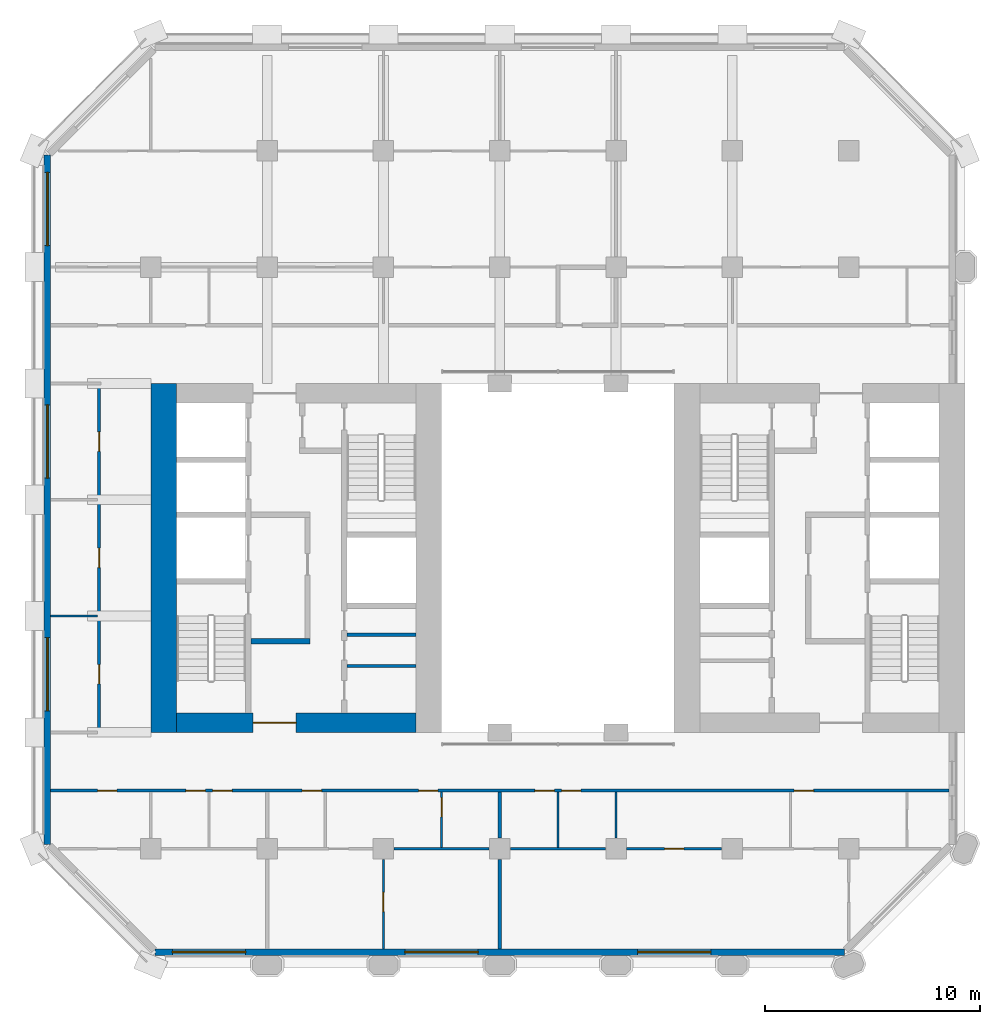
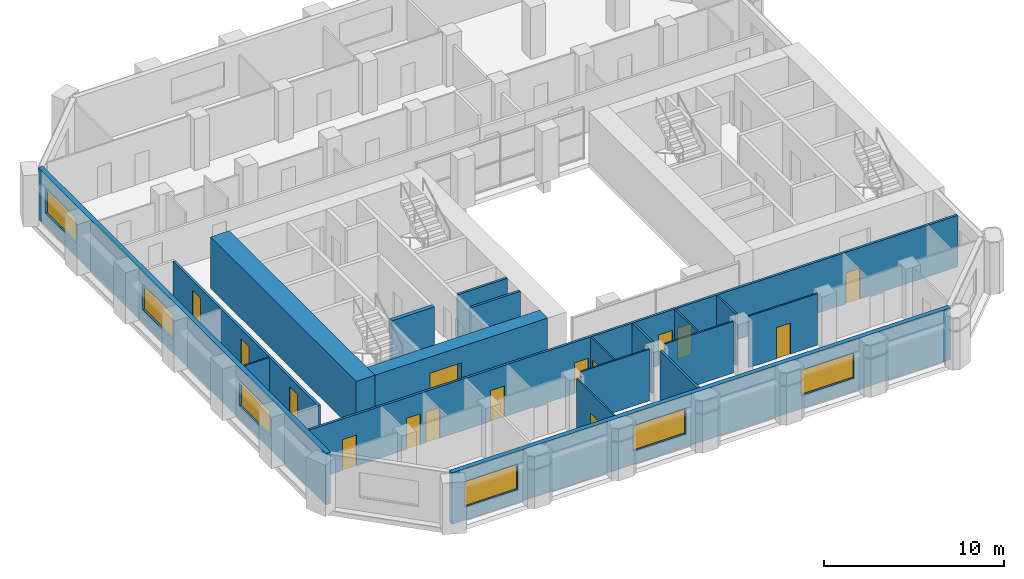
# One storey, part 6 of 13: 19 walls, 15 doors, 6 windows, 21 openings.
"""IFC4 building model written with IfcOpenShell, lengths in metres."""

from ifc_helpers import new_model, si_unit, direction, frame, frame_2d, origin, place, context, subcontext, project, spatial, rectangle, extrude, material, layer, layer_set, type_object, element, fill, save


model = new_model("IFC4")

# Units and contexts
model_context = context("Model", 3, precision=1e-05, world=origin(), true_north=direction((0.0, 1.0)))
body_context = subcontext(model_context, "Body", "Model", "MODEL_VIEW")
ifc_project = project(units=[si_unit("LENGTHUNIT", "METRE"), si_unit("AREAUNIT", "SQUARE_METRE"), si_unit("VOLUMEUNIT", "CUBIC_METRE"), si_unit("PLANEANGLEUNIT", "RADIAN"), si_unit("MASSUNIT", "GRAM", prefix="KILO")], contexts=[model_context])

# Site, building, storey
site_placement = place(None, origin())
site = spatial("IfcSite", under=ifc_project, at=site_placement, CompositionType="ELEMENT")
building_placement = place(site_placement, origin())
building = spatial("IfcBuilding", under=site, at=building_placement, Name="Tabaq Tower and Sports Hall", CompositionType="ELEMENT")
storey_placement = place(building_placement, frame((0.0, 0.0, 110.60009765625)))
storey = spatial("IfcBuildingStorey", under=building, at=storey_placement, Name="L26", CompositionType="ELEMENT", Elevation=110.60009765625)

# Walls
ifc_material_1 = material(Name="Blockwork", Category="masonry")
ifc_layer_1 = layer(ifc_material_1, 0.14990234375)
ifc_layer_set_1 = layer_set([ifc_layer_1], Name="Core room partition 150 Blockwork")
wall_type_1 = type_object("IfcWallType", Name="Core room partition 150 Blockwork", PredefinedType="PARTITIONING", material=ifc_layer_set_1)
for number, where, z_axis, x_axis, name in (
    (1, (14.5, 19.282958984375, 0.0), (0.0, 0.0, 1.0), (1.0, 0.0, 0.0), "Core room partition W L26"),
    (2, (14.5, 20.738037109375, 0.0), (0.0, 0.0, 1.0), (1.0, 0.0, 0.0), "Core room partition W L26"),
):
    element("IfcWall", number, at=place(storey_placement, frame(where, z_axis=z_axis, x_axis=x_axis)), inside=storey, type_object=wall_type_1, Name=name, PredefinedType="PARTITIONING", context=body_context, shape_type="SweptSolid", body=[
        extrude(rectangle(XDim=3.199951171875, YDim=0.14990234375, at=frame_2d((1.60009765625, 0.0))), origin(), (0.0, 0.0, 1.0), 3.5),
    ])
ifc_material_2 = material(Name="Concrete C60/75", Category="concrete")
ifc_layer_2 = layer(ifc_material_2, 1.199951171875)
ifc_layer_set_2 = layer_set([ifc_layer_2], Name="Core wall 1200 Concrete C60/75")
wall_type_2 = type_object("IfcWallType", Name="Core wall 1200 Concrete C60/75", PredefinedType="SOLIDWALL", material=ifc_layer_set_2)
wall_1_placement = place(storey_placement, frame((6.0, 16.199951171875, 0.0), z_axis=(0.0, 0.0, 1.0), x_axis=(0.0, 1.0, 0.0)))
element("IfcWall", 3, at=wall_1_placement, inside=storey, type_object=wall_type_2, Name="Core wall W L26", PredefinedType="SOLIDWALL", context=body_context, shape_type="SweptSolid", body=[
    extrude(rectangle(XDim=16.199951171875, YDim=1.199951171875, at=frame_2d((8.10009765625, 0.0))), origin(), (0.0, 0.0, 1.0), 3.5),
])

# Wall, opening, door
ifc_material_3 = material(Name="Concrete C60/75", Category="concrete")
ifc_layer_3 = layer(ifc_material_3, 0.89990234375)
ifc_layer_set_3 = layer_set([ifc_layer_3], Name="Core wall 900 Concrete C60/75")
wall_type_3 = type_object("IfcWallType", Name="Core wall 900 Concrete C60/75", PredefinedType="SOLIDWALL", material=ifc_layer_set_3)
wall_2_placement = place(storey_placement, frame((17.699951171875, 16.64990234375, 0.0), z_axis=(0.0, 0.0, 1.0), x_axis=(-1.0, 0.0, 0.0)))
wall_2 = element("IfcWall", 4, at=wall_2_placement, inside=storey, type_object=wall_type_3, Name="Core wall W L26", PredefinedType="SOLIDWALL", context=body_context, shape_type="SweptSolid", body=[
    extrude(rectangle(XDim=11.099853515625, YDim=0.89990234375, at=frame_2d((5.5498046875, 0.0))), origin(), (0.0, 0.0, 1.0), 3.5),
])
opening_1_placement = place(wall_2_placement, frame((5.550048828125, 0.0, 0.0)))
opening_1 = element("IfcOpeningElement", 5, at=opening_1_placement, cuts=wall_2, Name="Opening PD-WL26-01", PredefinedType="OPENING", context=body_context, shape_type="SweptSolid", body=[
    extrude(rectangle(XDim=2.0, YDim=2.39990234375, at=frame_2d((1.0, 1.199951171875))), frame((0.0, 0.449951171875, 0.0), z_axis=(0.0, -1.0, 0.0), x_axis=(1.0, 0.0, 0.0)), (0.0, 0.0, 1.0), 0.89990234375),
])
ifc_material_4 = material(Name="Steel fire door", Category="steel")
door_type_1 = type_object("IfcDoorType", Name="Core entrance door 2000", OperationType="DOUBLE_DOOR_SINGLE_SWING", PredefinedType="DOOR", material=ifc_material_4)
door_1_placement = place(opening_1_placement, origin())
door_1 = element("IfcDoor", 6, at=door_1_placement, inside=storey, type_object=door_type_1, Name="Core entrance south W L26", OperationType="DOUBLE_DOOR_SINGLE_SWING", OverallHeight=2.39990234375, OverallWidth=2.0, PredefinedType="DOOR", context=body_context, shape_type="SweptSolid", body=[
    extrude(rectangle(XDim=2.0, YDim=2.39990234375, at=frame_2d((1.0, 1.199951171875))), frame((0.0, 0.02490234375, 0.0), z_axis=(0.0, -1.0, 0.0), x_axis=(1.0, 0.0, 0.0)), (0.0, 0.0, 1.0), 0.050048828125),
])
fill(opening_1, door_1)

ifc_material_5 = material(Name="Gypsum board on steel studs", Category="steel")
ifc_layer_4 = layer(ifc_material_5, 0.10009765625)
ifc_layer_set_4 = layer_set([ifc_layer_4], Name="Partition 100 Gypsum board")
wall_type_4 = type_object("IfcWallType", Name="Partition 100 Gypsum board", PredefinedType="PARTITIONING", material=ifc_layer_set_4)
wall_3_placement = place(storey_placement, frame((18.89990234375, 10.85009765625, 0.0), z_axis=(0.0, 0.0, 1.0), x_axis=(0.0, 1.0, 0.0)))
wall_3 = element("IfcWall", 7, at=wall_3_placement, inside=storey, type_object=wall_type_4, Name="Partition wall L26", PredefinedType="PARTITIONING", context=body_context, shape_type="SweptSolid", body=[
    extrude(rectangle(XDim=2.574951171875, YDim=0.10009765625, at=frame_2d((1.28759765625, 0.0))), origin(), (0.0, 0.0, 1.0), 3.5),
])
opening_2_placement = place(wall_3_placement, frame((1.425048828125, 0.0, 0.0)))
opening_2 = element("IfcOpeningElement", 8, at=opening_2_placement, cuts=wall_3, Name="Opening L26-020", PredefinedType="OPENING", context=body_context, shape_type="SweptSolid", body=[
    extrude(rectangle(XDim=0.89990234375, YDim=2.10009765625, at=frame_2d((0.449951171875, 1.050048828125))), frame((0.0, 0.050048828125, 0.0), z_axis=(0.0, -1.0, 0.0), x_axis=(1.0, 0.0, 0.0)), (0.0, 0.0, 1.0), 0.10009765625),
])
ifc_material_6 = material(Name="Timber leaf in steel frame", Category="steel")
door_type_2 = type_object("IfcDoorType", Name="Internal door 900 right hand", OperationType="SINGLE_SWING_RIGHT", PredefinedType="DOOR", material=ifc_material_6)
door_2_placement = place(opening_2_placement, origin())
door_2 = element("IfcDoor", 9, at=door_2_placement, inside=storey, type_object=door_type_2, Name="Internal door L26-020", OperationType="SINGLE_SWING_RIGHT", OverallHeight=2.10009765625, OverallWidth=0.89990234375, PredefinedType="DOOR", context=body_context, shape_type="SweptSolid", body=[
    extrude(rectangle(XDim=0.89990234375, YDim=2.10009765625, at=frame_2d((0.449951171875, 1.050048828125))), frame((0.0, 0.02490234375, 0.0), z_axis=(0.0, -1.0, 0.0), x_axis=(1.0, 0.0, 0.0)), (0.0, 0.0, 1.0), 0.050048828125),
])
fill(opening_2, door_2)

# Wall
wall_4_placement = place(storey_placement, frame((16.695068359375, 10.800048828125, 0.0), z_axis=(0.0, 0.0, 1.0), x_axis=(1.0, 0.0, 0.0)))
element("IfcWall", 10, at=wall_4_placement, inside=storey, type_object=wall_type_4, Name="Partition wall L26", PredefinedType="PARTITIONING", context=body_context, shape_type="SweptSolid", body=[
    extrude(rectangle(XDim=4.409912109375, YDim=0.10009765625, at=frame_2d((2.205078125, 0.0))), origin(), (0.0, 0.0, 1.0), 3.5),
])

# Wall, opening, door
wall_5_placement = place(storey_placement, frame((16.199951171875, 6.15087890625, 0.0), z_axis=(0.0, 0.0, 1.0), x_axis=(0.0, 1.0, 0.0)))
wall_5 = element("IfcWall", 11, at=wall_5_placement, inside=storey, type_object=wall_type_4, Name="Partition wall L26", PredefinedType="PARTITIONING", context=body_context, shape_type="SweptSolid", body=[
    extrude(rectangle(XDim=4.154052734375, YDim=0.10009765625, at=frame_2d((2.0771484375, 0.0))), origin(), (0.0, 0.0, 1.0), 3.5),
])
opening_3_placement = place(wall_5_placement, frame((1.72412109375, 0.0, 0.0)))
opening_3 = element("IfcOpeningElement", 12, at=opening_3_placement, cuts=wall_5, Name="Opening L26-021", PredefinedType="OPENING", context=body_context, shape_type="SweptSolid", body=[
    extrude(rectangle(XDim=0.89990234375, YDim=2.10009765625, at=frame_2d((0.449951171875, 1.050048828125))), frame((0.0, 0.050048828125, 0.0), z_axis=(0.0, -1.0, 0.0), x_axis=(1.0, 0.0, 0.0)), (0.0, 0.0, 1.0), 0.10009765625),
])
door_3_placement = place(opening_3_placement, origin())
door_3 = element("IfcDoor", 13, at=door_3_placement, inside=storey, type_object=door_type_2, Name="Internal door L26-021", OperationType="SINGLE_SWING_RIGHT", OverallHeight=2.10009765625, OverallWidth=0.89990234375, PredefinedType="DOOR", context=body_context, shape_type="SweptSolid", body=[
    extrude(rectangle(XDim=0.89990234375, YDim=2.10009765625, at=frame_2d((0.449951171875, 1.050048828125))), frame((0.0, 0.02490234375, 0.0), z_axis=(0.0, -1.0, 0.0), x_axis=(1.0, 0.0, 0.0)), (0.0, 0.0, 1.0), 0.050048828125),
])
fill(opening_3, door_3)

# Walls
wall_6_placement = place(storey_placement, frame((24.300048828125, 10.85009765625, 0.0), z_axis=(0.0, 0.0, 1.0), x_axis=(0.0, 1.0, 0.0)))
element("IfcWall", 14, at=wall_6_placement, inside=storey, type_object=wall_type_4, Name="Partition wall L26", PredefinedType="PARTITIONING", context=body_context, shape_type="SweptSolid", body=[
    extrude(rectangle(XDim=2.574951171875, YDim=0.10009765625, at=frame_2d((1.28759765625, 0.0))), origin(), (0.0, 0.0, 1.0), 3.5),
])
wall_7_placement = place(storey_placement, frame((22.094970703125, 10.800048828125, 0.0), z_axis=(0.0, 0.0, 1.0), x_axis=(1.0, 0.0, 0.0)))
element("IfcWall", 15, at=wall_7_placement, inside=storey, type_object=wall_type_4, Name="Partition wall L26", PredefinedType="PARTITIONING", context=body_context, shape_type="SweptSolid", body=[
    extrude(rectangle(XDim=4.409912109375, YDim=0.10009765625, at=frame_2d((2.205078125, 0.0))), origin(), (0.0, 0.0, 1.0), 3.5),
])
wall_8_placement = place(storey_placement, frame((27.0, 11.294921875, 0.0), z_axis=(0.0, 0.0, 1.0), x_axis=(0.0, 1.0, 0.0)))
element("IfcWall", 16, at=wall_8_placement, inside=storey, type_object=wall_type_4, Name="Partition wall L26", PredefinedType="PARTITIONING", context=body_context, shape_type="SweptSolid", body=[
    extrude(rectangle(XDim=2.130126953125, YDim=0.10009765625, at=frame_2d((1.06494140625, 0.0))), origin(), (0.0, 0.0, 1.0), 3.5),
])

# Wall, opening, door
wall_9_placement = place(storey_placement, frame((27.4951171875, 10.800048828125, 0.0), z_axis=(0.0, 0.0, 1.0), x_axis=(1.0, 0.0, 0.0)))
wall_9 = element("IfcWall", 17, at=wall_9_placement, inside=storey, type_object=wall_type_4, Name="Partition wall L26", PredefinedType="PARTITIONING", context=body_context, shape_type="SweptSolid", body=[
    extrude(rectangle(XDim=4.409912109375, YDim=0.10009765625, at=frame_2d((2.205078125, 0.0))), origin(), (0.0, 0.0, 1.0), 3.5),
])
opening_4_placement = place(wall_9_placement, frame((1.7548828125, 0.0, 0.0)))
opening_4 = element("IfcOpeningElement", 18, at=opening_4_placement, cuts=wall_9, Name="Opening L26-022", PredefinedType="OPENING", context=body_context, shape_type="SweptSolid", body=[
    extrude(rectangle(XDim=0.89990234375, YDim=2.10009765625, at=frame_2d((0.449951171875, 1.050048828125))), frame((0.0, 0.050048828125, 0.0), z_axis=(0.0, -1.0, 0.0), x_axis=(1.0, 0.0, 0.0)), (0.0, 0.0, 1.0), 0.10009765625),
])
door_4_placement = place(opening_4_placement, origin())
door_4 = element("IfcDoor", 19, at=door_4_placement, inside=storey, type_object=door_type_2, Name="Internal door L26-022", OperationType="SINGLE_SWING_RIGHT", OverallHeight=2.10009765625, OverallWidth=0.89990234375, PredefinedType="DOOR", context=body_context, shape_type="SweptSolid", body=[
    extrude(rectangle(XDim=0.89990234375, YDim=2.10009765625, at=frame_2d((0.449951171875, 1.050048828125))), frame((0.0, 0.02490234375, 0.0), z_axis=(0.0, -1.0, 0.0), x_axis=(1.0, 0.0, 0.0)), (0.0, 0.0, 1.0), 0.050048828125),
])
fill(opening_4, door_4)

# Wall
wall_10_placement = place(storey_placement, frame((2.925048828125, 21.60009765625, 0.0), z_axis=(0.0, 0.0, 1.0), x_axis=(-1.0, 0.0, 0.0)))
element("IfcWall", 20, at=wall_10_placement, inside=storey, type_object=wall_type_4, Name="Partition wall L26", PredefinedType="PARTITIONING", context=body_context, shape_type="SweptSolid", body=[
    extrude(rectangle(XDim=2.174072265625, YDim=0.10009765625, at=frame_2d((1.0869140625, 0.0))), origin(), (0.0, 0.0, 1.0), 2.75),
])

# Wall, openings, doors
ifc_material_7 = material(Name="Blockwork", Category="masonry")
ifc_layer_5 = layer(ifc_material_7, 0.14990234375)
ifc_layer_set_5 = layer_set([ifc_layer_5], Name="Separating wall 150 Blockwork")
wall_type_5 = type_object("IfcWallType", Name="Separating wall 150 Blockwork", PredefinedType="PARTITIONING", material=ifc_layer_set_5)
wall_11_placement = place(storey_placement, frame((3.0, 32.324951171875, 0.0), z_axis=(0.0, 0.0, 1.0), x_axis=(0.0, -1.0, 0.0)))
wall_11 = element("IfcWall", 21, at=wall_11_placement, inside=storey, type_object=wall_type_5, Name="Separating wall L26", PredefinedType="PARTITIONING", context=body_context, shape_type="SweptSolid", body=[
    extrude(rectangle(XDim=16.199951171875, YDim=0.14990234375, at=frame_2d((8.10009765625, 0.0))), origin(), (0.0, 0.0, 1.0), 2.75),
])
opening_5_placement = place(wall_11_placement, frame((12.97509765625, 0.0, 0.0)))
opening_5 = element("IfcOpeningElement", 22, at=opening_5_placement, cuts=wall_11, Name="Opening L26-009", PredefinedType="OPENING", context=body_context, shape_type="SweptSolid", body=[
    extrude(rectangle(XDim=0.89990234375, YDim=2.10009765625, at=frame_2d((0.449951171875, 1.050048828125))), frame((0.0, 0.074951171875, 0.0), z_axis=(0.0, -1.0, 0.0), x_axis=(1.0, 0.0, 0.0)), (0.0, 0.0, 1.0), 0.14990234375),
])
opening_6_placement = place(wall_11_placement, frame((7.574951171875, 0.0, 0.0)))
opening_6 = element("IfcOpeningElement", 23, at=opening_6_placement, cuts=wall_11, Name="Opening L26-010", PredefinedType="OPENING", context=body_context, shape_type="SweptSolid", body=[
    extrude(rectangle(XDim=0.89990234375, YDim=2.10009765625, at=frame_2d((0.449951171875, 1.050048828125))), frame((0.0, 0.074951171875, 0.0), z_axis=(0.0, -1.0, 0.0), x_axis=(1.0, 0.0, 0.0)), (0.0, 0.0, 1.0), 0.14990234375),
])
opening_7_placement = place(wall_11_placement, frame((2.175048828125, 0.0, 0.0)))
opening_7 = element("IfcOpeningElement", 24, at=opening_7_placement, cuts=wall_11, Name="Opening L26-011", PredefinedType="OPENING", context=body_context, shape_type="SweptSolid", body=[
    extrude(rectangle(XDim=0.89990234375, YDim=2.10009765625, at=frame_2d((0.449951171875, 1.050048828125))), frame((0.0, 0.074951171875, 0.0), z_axis=(0.0, -1.0, 0.0), x_axis=(1.0, 0.0, 0.0)), (0.0, 0.0, 1.0), 0.14990234375),
])
door_5_placement = place(opening_5_placement, origin())
door_5 = element("IfcDoor", 25, at=door_5_placement, inside=storey, type_object=door_type_2, Name="Internal door L26-009", OperationType="SINGLE_SWING_RIGHT", OverallHeight=2.10009765625, OverallWidth=0.89990234375, PredefinedType="DOOR", context=body_context, shape_type="SweptSolid", body=[
    extrude(rectangle(XDim=0.89990234375, YDim=2.10009765625, at=frame_2d((0.449951171875, 1.050048828125))), frame((0.0, 0.02490234375, 0.0), z_axis=(0.0, -1.0, 0.0), x_axis=(1.0, 0.0, 0.0)), (0.0, 0.0, 1.0), 0.050048828125),
])
fill(opening_5, door_5)
door_6_placement = place(opening_6_placement, origin())
door_6 = element("IfcDoor", 26, at=door_6_placement, inside=storey, type_object=door_type_2, Name="Internal door L26-010", OperationType="SINGLE_SWING_RIGHT", OverallHeight=2.10009765625, OverallWidth=0.89990234375, PredefinedType="DOOR", context=body_context, shape_type="SweptSolid", body=[
    extrude(rectangle(XDim=0.89990234375, YDim=2.10009765625, at=frame_2d((0.449951171875, 1.050048828125))), frame((0.0, 0.02490234375, 0.0), z_axis=(0.0, -1.0, 0.0), x_axis=(1.0, 0.0, 0.0)), (0.0, 0.0, 1.0), 0.050048828125),
])
fill(opening_6, door_6)
door_7_placement = place(opening_7_placement, origin())
door_7 = element("IfcDoor", 27, at=door_7_placement, inside=storey, type_object=door_type_2, Name="Internal door L26-011", OperationType="SINGLE_SWING_RIGHT", OverallHeight=2.10009765625, OverallWidth=0.89990234375, PredefinedType="DOOR", context=body_context, shape_type="SweptSolid", body=[
    extrude(rectangle(XDim=0.89990234375, YDim=2.10009765625, at=frame_2d((0.449951171875, 1.050048828125))), frame((0.0, 0.02490234375, 0.0), z_axis=(0.0, -1.0, 0.0), x_axis=(1.0, 0.0, 0.0)), (0.0, 0.0, 1.0), 0.050048828125),
])
fill(opening_7, door_7)

wall_12_placement = place(storey_placement, frame((0.7509765625, 13.5, 0.0), z_axis=(0.0, 0.0, 1.0), x_axis=(1.0, 0.0, 0.0)))
wall_12 = element("IfcWall", 28, at=wall_12_placement, inside=storey, type_object=wall_type_5, Name="Separating wall L26", PredefinedType="PARTITIONING", context=body_context, shape_type="SweptSolid", body=[
    extrude(rectangle(XDim=41.697998046875, YDim=0.14990234375, at=frame_2d((20.84912109375, 0.0))), origin(), (0.0, 0.0, 1.0), 3.5),
])
opening_8_placement = place(wall_12_placement, frame((6.279052734375, 0.0, 0.0)))
opening_8 = element("IfcOpeningElement", 29, at=opening_8_placement, cuts=wall_12, Name="Opening L26-004", PredefinedType="OPENING", context=body_context, shape_type="SweptSolid", body=[
    extrude(rectangle(XDim=0.89990234375, YDim=2.10009765625, at=frame_2d((0.449951171875, 1.050048828125))), frame((0.0, 0.074951171875, 0.0), z_axis=(0.0, -1.0, 0.0), x_axis=(1.0, 0.0, 0.0)), (0.0, 0.0, 1.0), 0.14990234375),
])
opening_9_placement = place(wall_12_placement, frame((7.51904296875, 0.0, 0.0)))
opening_9 = element("IfcOpeningElement", 30, at=opening_9_placement, cuts=wall_12, Name="Opening L26-005", PredefinedType="OPENING", context=body_context, shape_type="SweptSolid", body=[
    extrude(rectangle(XDim=0.89990234375, YDim=2.10009765625, at=frame_2d((0.449951171875, 1.050048828125))), frame((0.0, 0.074951171875, 0.0), z_axis=(0.0, -1.0, 0.0), x_axis=(1.0, 0.0, 0.0)), (0.0, 0.0, 1.0), 0.14990234375),
])
opening_10_placement = place(wall_12_placement, frame((11.678955078125, 0.0, 0.0)))
opening_10 = element("IfcOpeningElement", 31, at=opening_10_placement, cuts=wall_12, Name="Opening L26-006", PredefinedType="OPENING", context=body_context, shape_type="SweptSolid", body=[
    extrude(rectangle(XDim=0.89990234375, YDim=2.10009765625, at=frame_2d((0.449951171875, 1.050048828125))), frame((0.0, 0.074951171875, 0.0), z_axis=(0.0, -1.0, 0.0), x_axis=(1.0, 0.0, 0.0)), (0.0, 0.0, 1.0), 0.14990234375),
])
opening_11_placement = place(wall_12_placement, frame((22.47900390625, 0.0, 0.0)))
opening_11 = element("IfcOpeningElement", 32, at=opening_11_placement, cuts=wall_12, Name="Opening L26-007", PredefinedType="OPENING", context=body_context, shape_type="SweptSolid", body=[
    extrude(rectangle(XDim=0.89990234375, YDim=2.10009765625, at=frame_2d((0.449951171875, 1.050048828125))), frame((0.0, 0.074951171875, 0.0), z_axis=(0.0, -1.0, 0.0), x_axis=(1.0, 0.0, 0.0)), (0.0, 0.0, 1.0), 0.14990234375),
])
opening_12_placement = place(wall_12_placement, frame((23.718994140625, 0.0, 0.0)))
opening_12 = element("IfcOpeningElement", 33, at=opening_12_placement, cuts=wall_12, Name="Opening L26-008", PredefinedType="OPENING", context=body_context, shape_type="SweptSolid", body=[
    extrude(rectangle(XDim=0.89990234375, YDim=2.10009765625, at=frame_2d((0.449951171875, 1.050048828125))), frame((0.0, 0.074951171875, 0.0), z_axis=(0.0, -1.0, 0.0), x_axis=(1.0, 0.0, 0.0)), (0.0, 0.0, 1.0), 0.14990234375),
])
opening_13_placement = place(wall_12_placement, frame((2.174072265625, 0.0, 0.0)))
opening_13 = element("IfcOpeningElement", 34, at=opening_13_placement, cuts=wall_12, Name="Opening L26-027", PredefinedType="OPENING", context=body_context, shape_type="SweptSolid", body=[
    extrude(rectangle(XDim=0.89990234375, YDim=2.10009765625, at=frame_2d((0.449951171875, 1.050048828125))), frame((0.0, 0.074951171875, 0.0), z_axis=(0.0, -1.0, 0.0), x_axis=(1.0, 0.0, 0.0)), (0.0, 0.0, 1.0), 0.14990234375),
])
opening_14_placement = place(wall_12_placement, frame((17.0791015625, 0.0, 0.0)))
opening_14 = element("IfcOpeningElement", 35, at=opening_14_placement, cuts=wall_12, Name="Opening L26-031", PredefinedType="OPENING", context=body_context, shape_type="SweptSolid", body=[
    extrude(rectangle(XDim=0.89990234375, YDim=2.10009765625, at=frame_2d((0.449951171875, 1.050048828125))), frame((0.0, 0.074951171875, 0.0), z_axis=(0.0, -1.0, 0.0), x_axis=(1.0, 0.0, 0.0)), (0.0, 0.0, 1.0), 0.14990234375),
])
opening_15_placement = place(wall_12_placement, frame((34.51904296875, 0.0, 0.0)))
opening_15 = element("IfcOpeningElement", 36, at=opening_15_placement, cuts=wall_12, Name="Opening L26-032", PredefinedType="OPENING", context=body_context, shape_type="SweptSolid", body=[
    extrude(rectangle(XDim=0.89990234375, YDim=2.10009765625, at=frame_2d((0.449951171875, 1.050048828125))), frame((0.0, 0.074951171875, 0.0), z_axis=(0.0, -1.0, 0.0), x_axis=(1.0, 0.0, 0.0)), (0.0, 0.0, 1.0), 0.14990234375),
])
ifc_material_8 = material(Name="Steel fire door", Category="steel")
door_type_3 = type_object("IfcDoorType", Name="Entrance door 900 right hand", OperationType="SINGLE_SWING_RIGHT", PredefinedType="DOOR", material=ifc_material_8)
door_8_placement = place(opening_8_placement, origin())
door_8 = element("IfcDoor", 37, at=door_8_placement, inside=storey, type_object=door_type_3, Name="Entrance door L26-004", OperationType="SINGLE_SWING_RIGHT", OverallHeight=2.10009765625, OverallWidth=0.89990234375, PredefinedType="DOOR", context=body_context, shape_type="SweptSolid", body=[
    extrude(rectangle(XDim=0.89990234375, YDim=2.10009765625, at=frame_2d((0.449951171875, 1.050048828125))), frame((0.0, 0.02490234375, 0.0), z_axis=(0.0, -1.0, 0.0), x_axis=(1.0, 0.0, 0.0)), (0.0, 0.0, 1.0), 0.050048828125),
])
fill(opening_8, door_8)
door_9_placement = place(opening_9_placement, origin())
door_9 = element("IfcDoor", 38, at=door_9_placement, inside=storey, type_object=door_type_3, Name="Entrance door L26-005", OperationType="SINGLE_SWING_RIGHT", OverallHeight=2.10009765625, OverallWidth=0.89990234375, PredefinedType="DOOR", context=body_context, shape_type="SweptSolid", body=[
    extrude(rectangle(XDim=0.89990234375, YDim=2.10009765625, at=frame_2d((0.449951171875, 1.050048828125))), frame((0.0, 0.02490234375, 0.0), z_axis=(0.0, -1.0, 0.0), x_axis=(1.0, 0.0, 0.0)), (0.0, 0.0, 1.0), 0.050048828125),
])
fill(opening_9, door_9)
door_10_placement = place(opening_10_placement, origin())
door_10 = element("IfcDoor", 39, at=door_10_placement, inside=storey, type_object=door_type_3, Name="Entrance door L26-006", OperationType="SINGLE_SWING_RIGHT", OverallHeight=2.10009765625, OverallWidth=0.89990234375, PredefinedType="DOOR", context=body_context, shape_type="SweptSolid", body=[
    extrude(rectangle(XDim=0.89990234375, YDim=2.10009765625, at=frame_2d((0.449951171875, 1.050048828125))), frame((0.0, 0.02490234375, 0.0), z_axis=(0.0, -1.0, 0.0), x_axis=(1.0, 0.0, 0.0)), (0.0, 0.0, 1.0), 0.050048828125),
])
fill(opening_10, door_10)
door_11_placement = place(opening_11_placement, origin())
door_11 = element("IfcDoor", 40, at=door_11_placement, inside=storey, type_object=door_type_3, Name="Entrance door L26-007", OperationType="SINGLE_SWING_RIGHT", OverallHeight=2.10009765625, OverallWidth=0.89990234375, PredefinedType="DOOR", context=body_context, shape_type="SweptSolid", body=[
    extrude(rectangle(XDim=0.89990234375, YDim=2.10009765625, at=frame_2d((0.449951171875, 1.050048828125))), frame((0.0, 0.02490234375, 0.0), z_axis=(0.0, -1.0, 0.0), x_axis=(1.0, 0.0, 0.0)), (0.0, 0.0, 1.0), 0.050048828125),
])
fill(opening_11, door_11)
door_12_placement = place(opening_12_placement, origin())
door_12 = element("IfcDoor", 41, at=door_12_placement, inside=storey, type_object=door_type_3, Name="Entrance door L26-008", OperationType="SINGLE_SWING_RIGHT", OverallHeight=2.10009765625, OverallWidth=0.89990234375, PredefinedType="DOOR", context=body_context, shape_type="SweptSolid", body=[
    extrude(rectangle(XDim=0.89990234375, YDim=2.10009765625, at=frame_2d((0.449951171875, 1.050048828125))), frame((0.0, 0.02490234375, 0.0), z_axis=(0.0, -1.0, 0.0), x_axis=(1.0, 0.0, 0.0)), (0.0, 0.0, 1.0), 0.050048828125),
])
fill(opening_12, door_12)
door_13_placement = place(opening_13_placement, origin())
door_13 = element("IfcDoor", 42, at=door_13_placement, inside=storey, type_object=door_type_3, Name="Entrance door L26-027", OperationType="SINGLE_SWING_RIGHT", OverallHeight=2.10009765625, OverallWidth=0.89990234375, PredefinedType="DOOR", context=body_context, shape_type="SweptSolid", body=[
    extrude(rectangle(XDim=0.89990234375, YDim=2.10009765625, at=frame_2d((0.449951171875, 1.050048828125))), frame((0.0, 0.02490234375, 0.0), z_axis=(0.0, -1.0, 0.0), x_axis=(1.0, 0.0, 0.0)), (0.0, 0.0, 1.0), 0.050048828125),
])
fill(opening_13, door_13)
door_14_placement = place(opening_14_placement, origin())
door_14 = element("IfcDoor", 43, at=door_14_placement, inside=storey, type_object=door_type_3, Name="Entrance door L26-031", OperationType="SINGLE_SWING_RIGHT", OverallHeight=2.10009765625, OverallWidth=0.89990234375, PredefinedType="DOOR", context=body_context, shape_type="SweptSolid", body=[
    extrude(rectangle(XDim=0.89990234375, YDim=2.10009765625, at=frame_2d((0.449951171875, 1.050048828125))), frame((0.0, 0.02490234375, 0.0), z_axis=(0.0, -1.0, 0.0), x_axis=(1.0, 0.0, 0.0)), (0.0, 0.0, 1.0), 0.050048828125),
])
fill(opening_14, door_14)
door_15_placement = place(opening_15_placement, origin())
door_15 = element("IfcDoor", 44, at=door_15_placement, inside=storey, type_object=door_type_3, Name="Entrance door L26-032", OperationType="SINGLE_SWING_RIGHT", OverallHeight=2.10009765625, OverallWidth=0.89990234375, PredefinedType="DOOR", context=body_context, shape_type="SweptSolid", body=[
    extrude(rectangle(XDim=0.89990234375, YDim=2.10009765625, at=frame_2d((0.449951171875, 1.050048828125))), frame((0.0, 0.02490234375, 0.0), z_axis=(0.0, -1.0, 0.0), x_axis=(1.0, 0.0, 0.0)), (0.0, 0.0, 1.0), 0.050048828125),
])
fill(opening_15, door_15)

# Walls
wall_13_placement = place(storey_placement, frame((21.60009765625, 11.294921875, 0.0), z_axis=(0.0, 0.0, 1.0), x_axis=(0.0, 1.0, 0.0)))
element("IfcWall", 45, at=wall_13_placement, inside=storey, type_object=wall_type_5, Name="Separating wall L26", PredefinedType="PARTITIONING", context=body_context, shape_type="SweptSolid", body=[
    extrude(rectangle(XDim=2.130126953125, YDim=0.14990234375, at=frame_2d((1.06494140625, 0.0))), origin(), (0.0, 0.0, 1.0), 3.5),
])
wall_14_placement = place(storey_placement, frame((21.60009765625, 6.15087890625, 0.0), z_axis=(0.0, 0.0, 1.0), x_axis=(0.0, 1.0, 0.0)))
element("IfcWall", 46, at=wall_14_placement, inside=storey, type_object=wall_type_5, Name="Separating wall L26", PredefinedType="PARTITIONING", context=body_context, shape_type="SweptSolid", body=[
    extrude(rectangle(XDim=4.154052734375, YDim=0.14990234375, at=frame_2d((2.0771484375, 0.0))), origin(), (0.0, 0.0, 1.0), 3.5),
])
ifc_material_9 = material(Name="Concrete C40/50", Category="concrete")
ifc_layer_6 = layer(ifc_material_9, 0.25)
ifc_layer_set_6 = layer_set([ifc_layer_6], Name="Shaft and stair wall 250 Concrete C40/50")
wall_type_6 = type_object("IfcWallType", Name="Shaft and stair wall 250 Concrete C40/50", PredefinedType="SOLIDWALL", material=ifc_layer_set_6)
wall_15_placement = place(storey_placement, frame((10.050048828125, 20.425048828125, 0.0), z_axis=(0.0, 0.0, 1.0), x_axis=(1.0, 0.0, 0.0)))
element("IfcWall", 47, at=wall_15_placement, inside=storey, type_object=wall_type_6, Name="Fire-fighting lobby wall W L26", PredefinedType="SOLIDWALL", context=body_context, shape_type="SweptSolid", body=[
    extrude(rectangle(XDim=2.75, YDim=0.25, at=frame_2d((1.375, 0.0))), origin(), (0.0, 0.0, 1.0), 3.5),
])

# Wall, openings, windows
ifc_material_10 = material(Name="White precast concrete C60/75", Category="concrete")
ifc_layer_7 = layer(ifc_material_10, 0.300048828125)
ifc_layer_set_7 = layer_set([ifc_layer_7], Name="White precast concrete C60/75 external wall 300")
wall_type_7 = type_object("IfcWallType", Name="White precast concrete C60/75 external wall 300", PredefinedType="SOLIDWALL", material=ifc_layer_set_7)
wall_16_placement = place(storey_placement, frame((5.58642578125, 6.0, 0.0), z_axis=(0.0, 0.0, 1.0), x_axis=(1.0, 0.0, 0.0)))
wall_16 = element("IfcWall", 48, at=wall_16_placement, inside=storey, type_object=wall_type_7, Name="External Wall L26 S", PredefinedType="SOLIDWALL", context=body_context, shape_type="SweptSolid", body=[
    extrude(rectangle(XDim=32.027099609375, YDim=0.300048828125, at=frame_2d((16.013671875, 0.0))), origin(), (0.0, 0.0, 1.0), 3.5),
])
opening_16_placement = place(wall_16_placement, frame((0.813720703125, 0.0, 0.89990234375)))
opening_16 = element("IfcOpeningElement", 49, at=opening_16_placement, cuts=wall_16, Name="Opening W1A", PredefinedType="OPENING", context=body_context, shape_type="SweptSolid", body=[
    extrude(rectangle(XDim=3.39990234375, YDim=1.699951171875, at=frame_2d((1.699951171875, 0.85009765625))), frame((0.0, 0.16015625, 0.0), z_axis=(0.0, -1.0, 0.0), x_axis=(1.0, 0.0, 0.0)), (0.0, 0.0, 1.0), 0.320068359375),
])
opening_17_placement = place(wall_16_placement, frame((11.613525390625, 0.0, 0.89990234375)))
opening_17 = element("IfcOpeningElement", 50, at=opening_17_placement, cuts=wall_16, Name="Opening W1A", PredefinedType="OPENING", context=body_context, shape_type="SweptSolid", body=[
    extrude(rectangle(XDim=3.39990234375, YDim=1.699951171875, at=frame_2d((1.699951171875, 0.85009765625))), frame((0.0, 0.16015625, 0.0), z_axis=(0.0, -1.0, 0.0), x_axis=(1.0, 0.0, 0.0)), (0.0, 0.0, 1.0), 0.320068359375),
])
opening_18_placement = place(wall_16_placement, frame((22.41357421875, 0.0, 0.89990234375)))
opening_18 = element("IfcOpeningElement", 51, at=opening_18_placement, cuts=wall_16, Name="Opening W1A", PredefinedType="OPENING", context=body_context, shape_type="SweptSolid", body=[
    extrude(rectangle(XDim=3.39990234375, YDim=1.699951171875, at=frame_2d((1.699951171875, 0.85009765625))), frame((0.0, 0.16015625, 0.0), z_axis=(0.0, -1.0, 0.0), x_axis=(1.0, 0.0, 0.0)), (0.0, 0.0, 1.0), 0.320068359375),
])
ifc_material_11 = material(Name="Aluminium framed clear glazing", Category="aluminium")
window_type = type_object("IfcWindowType", Name="Window W1A", PartitioningType="SINGLE_PANEL", PredefinedType="WINDOW", material=ifc_material_11)
window_1_placement = place(opening_16_placement, origin())
window_1 = element("IfcWindow", 52, at=window_1_placement, inside=storey, type_object=window_type, Name="Window W1A L26", OverallHeight=1.699951171875, OverallWidth=3.39990234375, PartitioningType="SINGLE_PANEL", PredefinedType="WINDOW", context=body_context, shape_type="SweptSolid", body=[
    extrude(rectangle(XDim=3.39990234375, YDim=1.699951171875, at=frame_2d((1.699951171875, 0.85009765625))), frame((0.0, 0.030029296875, 0.0), z_axis=(0.0, -1.0, 0.0), x_axis=(1.0, 0.0, 0.0)), (0.0, 0.0, 1.0), 0.06005859375),
])
fill(opening_16, window_1)
window_2_placement = place(opening_17_placement, origin())
window_2 = element("IfcWindow", 53, at=window_2_placement, inside=storey, type_object=window_type, Name="Window W1A L26", OverallHeight=1.699951171875, OverallWidth=3.39990234375, PartitioningType="SINGLE_PANEL", PredefinedType="WINDOW", context=body_context, shape_type="SweptSolid", body=[
    extrude(rectangle(XDim=3.39990234375, YDim=1.699951171875, at=frame_2d((1.699951171875, 0.85009765625))), frame((0.0, 0.030029296875, 0.0), z_axis=(0.0, -1.0, 0.0), x_axis=(1.0, 0.0, 0.0)), (0.0, 0.0, 1.0), 0.06005859375),
])
fill(opening_17, window_2)
window_3_placement = place(opening_18_placement, origin())
window_3 = element("IfcWindow", 54, at=window_3_placement, inside=storey, type_object=window_type, Name="Window W1A L26", OverallHeight=1.699951171875, OverallWidth=3.39990234375, PartitioningType="SINGLE_PANEL", PredefinedType="WINDOW", context=body_context, shape_type="SweptSolid", body=[
    extrude(rectangle(XDim=3.39990234375, YDim=1.699951171875, at=frame_2d((1.699951171875, 0.85009765625))), frame((0.0, 0.030029296875, 0.0), z_axis=(0.0, -1.0, 0.0), x_axis=(1.0, 0.0, 0.0)), (0.0, 0.0, 1.0), 0.06005859375),
])
fill(opening_18, window_3)

wall_17_placement = place(storey_placement, frame((0.60009765625, 43.013671875, 0.0), z_axis=(0.0, 0.0, 1.0), x_axis=(0.0, -1.0, 0.0)))
wall_17 = element("IfcWall", 55, at=wall_17_placement, inside=storey, type_object=wall_type_7, Name="External Wall L26 W", PredefinedType="SOLIDWALL", context=body_context, shape_type="SweptSolid", body=[
    extrude(rectangle(XDim=32.02734375, YDim=0.300048828125, at=frame_2d((16.013671875, 0.0))), origin(), (0.0, 0.0, 1.0), 3.5),
])
opening_19_placement = place(wall_17_placement, frame((0.813720703125, 0.0, 0.89990234375)))
opening_19 = element("IfcOpeningElement", 56, at=opening_19_placement, cuts=wall_17, Name="Opening W1A", PredefinedType="OPENING", context=body_context, shape_type="SweptSolid", body=[
    extrude(rectangle(XDim=3.39990234375, YDim=1.699951171875, at=frame_2d((1.699951171875, 0.85009765625))), frame((0.0, 0.16015625, 0.0), z_axis=(0.0, -1.0, 0.0), x_axis=(1.0, 0.0, 0.0)), (0.0, 0.0, 1.0), 0.320068359375),
])
opening_20_placement = place(wall_17_placement, frame((11.613525390625, 0.0, 0.89990234375)))
opening_20 = element("IfcOpeningElement", 57, at=opening_20_placement, cuts=wall_17, Name="Opening W1A", PredefinedType="OPENING", context=body_context, shape_type="SweptSolid", body=[
    extrude(rectangle(XDim=3.39990234375, YDim=1.699951171875, at=frame_2d((1.699951171875, 0.85009765625))), frame((0.0, 0.16015625, 0.0), z_axis=(0.0, -1.0, 0.0), x_axis=(1.0, 0.0, 0.0)), (0.0, 0.0, 1.0), 0.320068359375),
])
opening_21_placement = place(wall_17_placement, frame((22.41357421875, 0.0, 0.89990234375)))
opening_21 = element("IfcOpeningElement", 58, at=opening_21_placement, cuts=wall_17, Name="Opening W1A", PredefinedType="OPENING", context=body_context, shape_type="SweptSolid", body=[
    extrude(rectangle(XDim=3.39990234375, YDim=1.699951171875, at=frame_2d((1.699951171875, 0.85009765625))), frame((0.0, 0.16015625, 0.0), z_axis=(0.0, -1.0, 0.0), x_axis=(1.0, 0.0, 0.0)), (0.0, 0.0, 1.0), 0.320068359375),
])
window_4_placement = place(opening_19_placement, origin())
window_4 = element("IfcWindow", 59, at=window_4_placement, inside=storey, type_object=window_type, Name="Window W1A L26", OverallHeight=1.699951171875, OverallWidth=3.39990234375, PartitioningType="SINGLE_PANEL", PredefinedType="WINDOW", context=body_context, shape_type="SweptSolid", body=[
    extrude(rectangle(XDim=3.39990234375, YDim=1.699951171875, at=frame_2d((1.699951171875, 0.85009765625))), frame((0.0, 0.030029296875, 0.0), z_axis=(0.0, -1.0, 0.0), x_axis=(1.0, 0.0, 0.0)), (0.0, 0.0, 1.0), 0.06005859375),
])
fill(opening_19, window_4)
window_5_placement = place(opening_20_placement, origin())
window_5 = element("IfcWindow", 60, at=window_5_placement, inside=storey, type_object=window_type, Name="Window W1A L26", OverallHeight=1.699951171875, OverallWidth=3.39990234375, PartitioningType="SINGLE_PANEL", PredefinedType="WINDOW", context=body_context, shape_type="SweptSolid", body=[
    extrude(rectangle(XDim=3.39990234375, YDim=1.699951171875, at=frame_2d((1.699951171875, 0.85009765625))), frame((0.0, 0.030029296875, 0.0), z_axis=(0.0, -1.0, 0.0), x_axis=(1.0, 0.0, 0.0)), (0.0, 0.0, 1.0), 0.06005859375),
])
fill(opening_20, window_5)
window_6_placement = place(opening_21_placement, origin())
window_6 = element("IfcWindow", 61, at=window_6_placement, inside=storey, type_object=window_type, Name="Window W1A L26", OverallHeight=1.699951171875, OverallWidth=3.39990234375, PartitioningType="SINGLE_PANEL", PredefinedType="WINDOW", context=body_context, shape_type="SweptSolid", body=[
    extrude(rectangle(XDim=3.39990234375, YDim=1.699951171875, at=frame_2d((1.699951171875, 0.85009765625))), frame((0.0, 0.030029296875, 0.0), z_axis=(0.0, -1.0, 0.0), x_axis=(1.0, 0.0, 0.0)), (0.0, 0.0, 1.0), 0.06005859375),
])
fill(opening_21, window_6)

save(model, "model.ifc")
